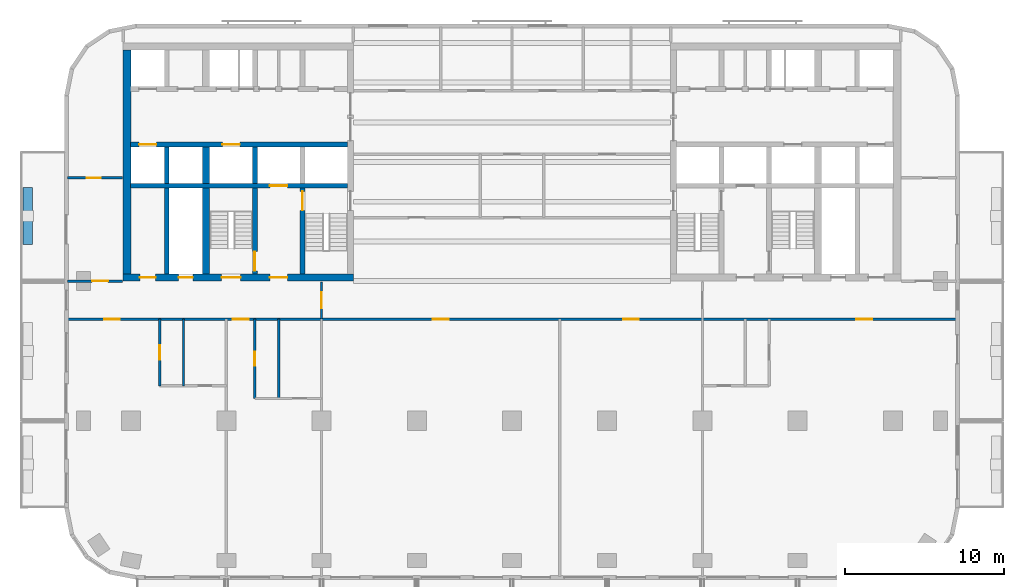
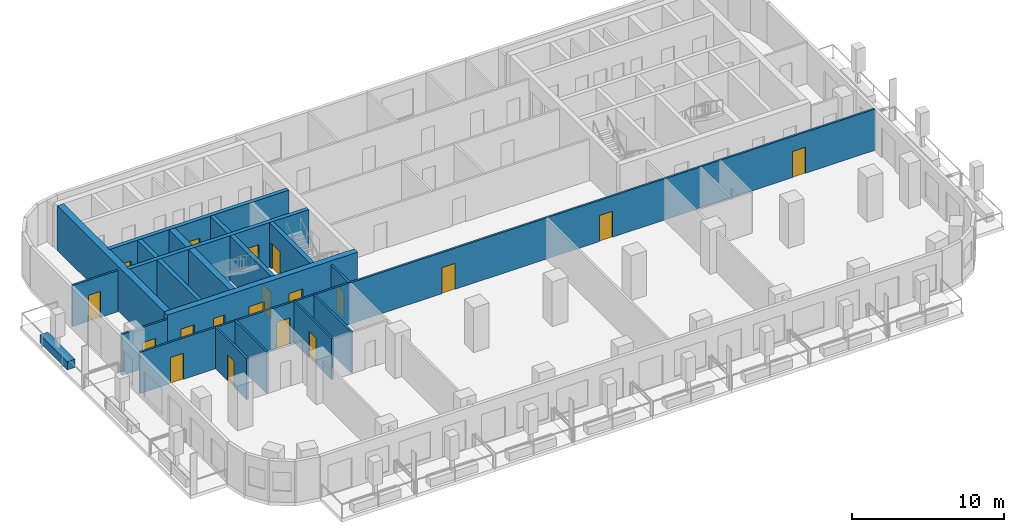
# One storey, part 3 of 11: 20 walls, 19 doors, 19 openings.
"""IFC4 building model written with IfcOpenShell, lengths in metres."""

import ifcopenshell
import ifcopenshell.guid

model = None  # the IFC model being written
_history = None  # IfcOwnerHistory: only IFC2X3 demands one
_inside = {}  # id of a spatial element -> (the spatial element, [elements in it])
_under = {}  # id of a project, library or spatial element -> (it, [spatial elements below it])
_declared = {}  # id of a project -> (the project, [libraries it declares])
_typed = {}  # id of a type object -> (the type object, [elements of that type])
_made_of = {}  # id of a material, layer set ... -> (it, [elements and type objects made of it])


def new_model(schema):
    """Start an empty IFC model of exactly this schema.

    Asked for "IFC4X3", IfcOpenShell would pick the latest addendum, in which some entities
    have other attributes; the version numbers below select the first issue.
    IFC2X3 requires an IfcOwnerHistory on every rooted entity: one is made here for all.
    """
    global model, _history
    if schema == "IFC4X3":
        model = ifcopenshell.file(schema_version=(4, 3, 0, 0))
    else:
        model = ifcopenshell.file(schema=schema)
    _inside.clear()
    _under.clear()
    _declared.clear()
    _typed.clear()
    _made_of.clear()
    _history = None
    if model.schema == "IFC2X3":
        org = make("IfcOrganization", Name="unknown")
        user = make(
            "IfcPersonAndOrganization",
            ThePerson=make("IfcPerson", FamilyName="unknown"),
            TheOrganization=org,
        )
        app = make(
            "IfcApplication",
            ApplicationDeveloper=org,
            Version="unknown",
            ApplicationFullName="unknown",
            ApplicationIdentifier="unknown",
        )
        _history = make(
            "IfcOwnerHistory",
            OwningUser=user,
            OwningApplication=app,
            ChangeAction="ADDED",
            CreationDate=0,
        )
    return model


def make(cls, **values):
    """One entity of the class cls with the attributes given. An attribute that is None is left unset."""
    return model.create_entity(
        cls, **{name: value for name, value in values.items() if value is not None}
    )


def rooted(cls, **values):
    """An entity with a GlobalId (a new one), such as an element, a storey or a relation."""
    return make(cls, GlobalId=ifcopenshell.guid.new(), OwnerHistory=_history, **values)


def si_unit(unit_type, name, prefix=None):
    """IfcSIUnit, for example si_unit("LENGTHUNIT", "METRE", prefix="MILLI")."""
    return make("IfcSIUnit", UnitType=unit_type, Prefix=prefix, Name=name)


def assignment(units):
    """IfcUnitAssignment: the units of a project."""
    return None if units is None else make("IfcUnitAssignment", Units=units)


def point(xyz):
    """IfcCartesianPoint."""
    return None if xyz is None else make("IfcCartesianPoint", Coordinates=xyz)


def direction(xyz):
    """IfcDirection."""
    return None if xyz is None else make("IfcDirection", DirectionRatios=xyz)


def frame(location, z_axis=None, x_axis=None):
    """IfcAxis2Placement3D, a coordinate frame: its origin and axes. An axis left out is left unset."""
    return make(
        "IfcAxis2Placement3D",
        Location=point(location),
        Axis=direction(z_axis),
        RefDirection=direction(x_axis),
    )


def frame_2d(location, x_axis=None):
    """IfcAxis2Placement2D, a coordinate frame in the plane: its origin and x axis."""
    return make(
        "IfcAxis2Placement2D", Location=point(location), RefDirection=direction(x_axis)
    )


def origin():
    """The frame at (0, 0, 0) with its axes left unset."""
    return frame((0.0, 0.0, 0.0))


def place(relative_to, where):
    """IfcLocalPlacement: puts the frame where relative to a parent placement (None: the world)."""
    return make(
        "IfcLocalPlacement", PlacementRelTo=relative_to, RelativePlacement=where
    )


def context(
    kind, dimensions, precision=None, world=None, true_north=None, identifier=None
):
    """IfcGeometricRepresentationContext, for example the 3D "Model" context."""
    return make(
        "IfcGeometricRepresentationContext",
        ContextIdentifier=identifier,
        ContextType=kind,
        CoordinateSpaceDimension=dimensions,
        Precision=precision,
        WorldCoordinateSystem=world,
        TrueNorth=true_north,
    )


def subcontext(parent, identifier, kind, view, scale=None):
    """IfcGeometricRepresentationSubContext, for example "Body" below "Model"."""
    return make(
        "IfcGeometricRepresentationSubContext",
        ContextIdentifier=identifier,
        ContextType=kind,
        ParentContext=parent,
        TargetScale=scale,
        TargetView=view,
    )


def project(units=None, contexts=None):
    """IfcProject with its units and contexts."""
    return rooted(
        "IfcProject",
        Name="project",
        RepresentationContexts=contexts,
        UnitsInContext=assignment(units),
    )


def spatial(cls, under=None, at=None, **own):
    """A site, building, storey or space (cls), placed at a placement, below another one or the project."""
    s = rooted(cls, ObjectPlacement=at, **own)
    if under is not None:
        _under.setdefault(under.id(), (under, []))[1].append(s)
    return s


def profile(cls, at=None, kind="AREA", **sizes):
    """A parametric profile (cls). Its sizes go by their IFC names, for example OverallWidth=200.0."""
    return make(cls, ProfileType=kind, Position=at, **sizes)


def rectangle(**sizes):
    """IfcRectangleProfileDef."""
    return profile("IfcRectangleProfileDef", **sizes)


def extrude(swept, where, along, depth):
    """IfcExtrudedAreaSolid: the profile swept, set in the frame where, extruded along a direction by depth."""
    return make(
        "IfcExtrudedAreaSolid",
        SweptArea=swept,
        Position=where,
        ExtrudedDirection=direction(along),
        Depth=depth,
    )


def shape(context_of_items, identifier, shape_type, items):
    """IfcShapeRepresentation: the items that make up one representation, for example the "Body"."""
    return make(
        "IfcShapeRepresentation",
        ContextOfItems=context_of_items,
        RepresentationIdentifier=identifier,
        RepresentationType=shape_type,
        Items=items,
    )


def material(Name=None, Category=None):
    """IfcMaterial."""
    return make("IfcMaterial", Name=Name, Category=Category)


def layer(
    of_material, thickness, ventilated=None, Name=None, Category=None, Priority=None
):
    """IfcMaterialLayer: one layer of a wall or slab, of a material (None: an air gap)."""
    return make(
        "IfcMaterialLayer",
        Material=of_material,
        LayerThickness=thickness,
        IsVentilated=ventilated,
        Name=Name,
        Category=Category,
        Priority=Priority,
    )


def layer_set(layers, Name=None):
    """IfcMaterialLayerSet."""
    return make("IfcMaterialLayerSet", MaterialLayers=layers, LayerSetName=Name)


def made_of(thing, what):
    """Note that an element or type object is made of a material, layer set ...; save() writes the relation."""
    if what is not None:
        _made_of.setdefault(what.id(), (what, []))[1].append(thing)
    return thing


def type_object(cls, material=None, **own):
    """A type object (cls), such as IfcWallType, which elements share."""
    return made_of(rooted(cls, **own), material)


def element(
    cls,
    number,
    at=None,
    inside=None,
    cuts=None,
    type_object=None,
    material=None,
    context=None,
    identifier="Body",
    shape_type=None,
    held_by="IfcProductDefinitionShape",
    body=None,
    shapes=None,
    **own,
):
    """One element of the class cls, such as IfcWall. Its Tag is "e" and its number.

    at: its placement. inside: the storey or other place that contains it. cuts: it is an
    opening in that element (IfcRelVoidsElement). A single representation is given by context,
    identifier, shape_type and body (its items); several are given by shapes. held_by: the class
    of the entity that holds the representations. save() writes the other relations.
    """
    e = rooted(cls, Tag="e%d" % number, ObjectPlacement=at, **own)
    if body is not None:
        shapes = [shape(context, identifier, shape_type, body)]
    if shapes is not None:
        e.Representation = make(held_by, Representations=shapes)
    if inside is not None:
        _inside.setdefault(inside.id(), (inside, []))[1].append(e)
    if cuts is not None:
        rooted(
            "IfcRelVoidsElement", RelatingBuildingElement=cuts, RelatedOpeningElement=e
        )
    if type_object is not None:
        _typed.setdefault(type_object.id(), (type_object, []))[1].append(e)
    return made_of(e, material)


def fill(opening, filler):
    """IfcRelFillsElement: the door or window that sits in an opening."""
    return rooted(
        "IfcRelFillsElement",
        RelatingOpeningElement=opening,
        RelatedBuildingElement=filler,
    )


def aggregate(whole, parts):
    """IfcRelAggregates: a whole, such as a stair, and the parts it consists of."""
    return rooted("IfcRelAggregates", RelatingObject=whole, RelatedObjects=parts)


def save(model, path):
    """Write the relations noted so far, then the file.

    IfcRelAggregates (storeys below a building ...), IfcRelContainedInSpatialStructure (elements
    in a storey), IfcRelDefinesByType, IfcRelAssociatesMaterial and IfcRelDeclares: one each for
    every whole, place, type object, material and project.
    """
    for whole, parts in _under.values():
        aggregate(whole, parts)
    for where, things in _inside.values():
        rooted(
            "IfcRelContainedInSpatialStructure",
            RelatedElements=things,
            RelatingStructure=where,
        )
    for kind, things in _typed.values():
        rooted("IfcRelDefinesByType", RelatedObjects=things, RelatingType=kind)
    for what, things in _made_of.values():
        rooted("IfcRelAssociatesMaterial", RelatedObjects=things, RelatingMaterial=what)
    for by, libraries in _declared.values():
        rooted("IfcRelDeclares", RelatingContext=by, RelatedDefinitions=libraries)
    model.write(path)


model = new_model("IFC4")

# Units and contexts
model_context = context("Model", 3, precision=1e-05, world=origin(), true_north=direction((0.0, 1.0)))
body_context = subcontext(model_context, "Body", "Model", "MODEL_VIEW")
ifc_project = project(units=[si_unit("LENGTHUNIT", "METRE"), si_unit("AREAUNIT", "SQUARE_METRE"), si_unit("VOLUMEUNIT", "CUBIC_METRE"), si_unit("PLANEANGLEUNIT", "RADIAN"), si_unit("MASSUNIT", "GRAM", prefix="KILO")], contexts=[model_context])

# Site, building, storey
site_placement = place(None, origin())
site = spatial("IfcSite", under=ifc_project, at=site_placement, CompositionType="ELEMENT")
building_placement = place(site_placement, origin())
building = spatial("IfcBuilding", under=site, at=building_placement, Name="Torana Hotel and Residences", CompositionType="ELEMENT")
storey_placement = place(building_placement, frame((0.0, 0.0, 166.800048828125)))
storey = spatial("IfcBuildingStorey", under=building, at=storey_placement, Name="L43", CompositionType="ELEMENT", Elevation=166.800048828125)

# Wall, openings, doors
ifc_material_1 = material(Name="Concrete C70/85", Category="concrete")
ifc_layer_1 = layer(ifc_material_1, 0.300048828125)
ifc_layer_set_1 = layer_set([ifc_layer_1], Name="CORE WALL 300 C70/85")
wall_type_1 = type_object("IfcWallType", Name="CORE WALL 300 C70/85", PredefinedType="SHEAR", material=ifc_layer_set_1)
wall_1_placement = place(storey_placement, frame((-24.050048828125, -6.39990234375, 0.0), z_axis=(0.0, 0.0, 1.0), x_axis=(1.0, 0.0, 0.0)))
wall_1 = element("IfcWall", 1, at=wall_1_placement, inside=storey, type_object=wall_type_1, Name="Core wall W row-S", PredefinedType="SHEAR", context=body_context, shape_type="SweptSolid", body=[
    extrude(rectangle(XDim=13.699951171875, YDim=0.300048828125, at=frame_2d((6.85009765625, 0.0))), origin(), (0.0, 0.0, 1.0), 3.599853515625),
])
opening_1_placement = place(wall_1_placement, frame((0.550048828125, 0.0, 0.0)))
opening_1 = element("IfcOpeningElement", 2, at=opening_1_placement, cuts=wall_1, Name="Opening LD", PredefinedType="OPENING", context=body_context, shape_type="SweptSolid", body=[
    extrude(rectangle(XDim=1.10009765625, YDim=2.10009765625, at=frame_2d((0.550048828125, 1.050048828125))), frame((0.0, 0.159912109375, 0.0), z_axis=(0.0, -1.0, 0.0), x_axis=(1.0, 0.0, 0.0)), (0.0, 0.0, 1.0), 0.320068359375),
])
opening_2_placement = place(wall_1_placement, frame((5.800048828125, 0.0, 0.0)))
opening_2 = element("IfcOpeningElement", 3, at=opening_2_placement, cuts=wall_1, Name="Opening LD", PredefinedType="OPENING", context=body_context, shape_type="SweptSolid", body=[
    extrude(rectangle(XDim=1.10009765625, YDim=2.10009765625, at=frame_2d((0.550048828125, 1.050048828125))), frame((0.0, 0.159912109375, 0.0), z_axis=(0.0, -1.0, 0.0), x_axis=(1.0, 0.0, 0.0)), (0.0, 0.0, 1.0), 0.320068359375),
])
ifc_material_2 = material(Name="Stainless steel 316", Category="steel")
door_type_1 = type_object("IfcDoorType", Name="LIFT LANDING DOOR LD 1100x2100", OperationType="DOUBLE_DOOR_SLIDING", PredefinedType="USERDEFINED", material=ifc_material_2)
door_1_placement = place(opening_1_placement, origin())
door_1 = element("IfcDoor", 4, at=door_1_placement, inside=storey, type_object=door_type_1, Name="Lift landing door M2 L43", ObjectType="LIFT LANDING DOOR", OperationType="DOUBLE_DOOR_SLIDING", OverallHeight=2.10009765625, OverallWidth=1.10009765625, PredefinedType="USERDEFINED", context=body_context, shape_type="SweptSolid", body=[
    extrude(rectangle(XDim=1.10009765625, YDim=2.10009765625, at=frame_2d((0.550048828125, 1.050048828125))), frame((0.0, 0.02490234375, 0.0), z_axis=(0.0, -1.0, 0.0), x_axis=(1.0, 0.0, 0.0)), (0.0, 0.0, 1.0), 0.050048828125),
])
fill(opening_1, door_1)
door_2_placement = place(opening_2_placement, origin())
door_2 = element("IfcDoor", 5, at=door_2_placement, inside=storey, type_object=door_type_1, Name="Lift landing door SV1 L43", ObjectType="LIFT LANDING DOOR", OperationType="DOUBLE_DOOR_SLIDING", OverallHeight=2.10009765625, OverallWidth=1.10009765625, PredefinedType="USERDEFINED", context=body_context, shape_type="SweptSolid", body=[
    extrude(rectangle(XDim=1.10009765625, YDim=2.10009765625, at=frame_2d((0.550048828125, 1.050048828125))), frame((0.0, 0.02490234375, 0.0), z_axis=(0.0, -1.0, 0.0), x_axis=(1.0, 0.0, 0.0)), (0.0, 0.0, 1.0), 0.050048828125),
])
fill(opening_2, door_2)

# Wall, opening, door
wall_2_placement = place(storey_placement, frame((-24.050048828125, -9.0, 0.0), z_axis=(0.0, 0.0, 1.0), x_axis=(1.0, 0.0, 0.0)))
wall_2 = element("IfcWall", 6, at=wall_2_placement, inside=storey, type_object=wall_type_1, Name="Core wall W band", PredefinedType="SHEAR", context=body_context, shape_type="SweptSolid", body=[
    extrude(rectangle(XDim=13.699951171875, YDim=0.300048828125, at=frame_2d((6.85009765625, 0.0))), origin(), (0.0, 0.0, 1.0), 3.599853515625),
])
opening_3_placement = place(wall_2_placement, frame((8.800048828125, 0.0, 0.0)))
opening_3 = element("IfcOpeningElement", 7, at=opening_3_placement, cuts=wall_2, Name="Opening LD", PredefinedType="OPENING", context=body_context, shape_type="SweptSolid", body=[
    extrude(rectangle(XDim=1.10009765625, YDim=2.10009765625, at=frame_2d((0.550048828125, 1.050048828125))), frame((0.0, 0.159912109375, 0.0), z_axis=(0.0, -1.0, 0.0), x_axis=(1.0, 0.0, 0.0)), (0.0, 0.0, 1.0), 0.320068359375),
])
door_3_placement = place(opening_3_placement, origin())
door_3 = element("IfcDoor", 8, at=door_3_placement, inside=storey, type_object=door_type_1, Name="Lift landing door FF1 L43", ObjectType="LIFT LANDING DOOR", OperationType="DOUBLE_DOOR_SLIDING", OverallHeight=2.10009765625, OverallWidth=1.10009765625, PredefinedType="USERDEFINED", context=body_context, shape_type="SweptSolid", body=[
    extrude(rectangle(XDim=1.10009765625, YDim=2.10009765625, at=frame_2d((0.550048828125, 1.050048828125))), frame((0.0, 0.02490234375, 0.0), z_axis=(0.0, -1.0, 0.0), x_axis=(1.0, 0.0, 0.0)), (0.0, 0.0, 1.0), 0.050048828125),
])
fill(opening_3, door_3)

wall_3_placement = place(storey_placement, frame((-13.199951171875, -14.550048828125, 0.0), z_axis=(0.0, 0.0, 1.0), x_axis=(0.0, 1.0, 0.0)))
wall_3 = element("IfcWall", 9, at=wall_3_placement, inside=storey, type_object=wall_type_1, Name="Core wall W x3.05-band", PredefinedType="SHEAR", context=body_context, shape_type="SweptSolid", body=[
    extrude(rectangle(XDim=5.400146484375, YDim=0.300048828125, at=frame_2d((2.7001953125, 0.0))), origin(), (0.0, 0.0, 1.0), 3.599853515625),
])
opening_4_placement = place(wall_3_placement, frame((4.0, 0.0, 0.0)))
opening_4 = element("IfcOpeningElement", 10, at=opening_4_placement, cuts=wall_3, Name="Opening L43-14", PredefinedType="OPENING", context=body_context, shape_type="SweptSolid", body=[
    extrude(rectangle(XDim=1.199951171875, YDim=2.10009765625, at=frame_2d((0.60009765625, 1.050048828125))), frame((0.0, 0.159912109375, 0.0), z_axis=(0.0, -1.0, 0.0), x_axis=(1.0, 0.0, 0.0)), (0.0, 0.0, 1.0), 0.320068359375),
])
ifc_material_3 = material(Name="Steel S235", Category="steel")
door_type_2 = type_object("IfcDoorType", Name="STAIR FIRE DOOR D3 1200x2100", OperationType="SINGLE_SWING_LEFT", PredefinedType="DOOR", material=ifc_material_3)
door_4_placement = place(opening_4_placement, frame((0.60009765625, 0.0, 0.0), z_axis=(0.0, 0.0, 1.0), x_axis=(-1.0, 0.0, 0.0)))
door_4 = element("IfcDoor", 11, at=door_4_placement, inside=storey, type_object=door_type_2, Name="Stair-A-lobby door L43", OperationType="SINGLE_SWING_RIGHT", OverallHeight=2.10009765625, OverallWidth=1.199951171875, PredefinedType="DOOR", context=body_context, shape_type="SweptSolid", body=[
    extrude(rectangle(XDim=1.199951171875, YDim=2.10009765625, at=frame_2d((0.0, 1.050048828125))), frame((0.0, -0.02490234375, 0.0), z_axis=(0.0, 1.0, 0.0), x_axis=(-1.0, 0.0, 0.0)), (0.0, 0.0, 1.0), 0.050048828125),
])
fill(opening_4, door_4)

# Wall
wall_4_placement = place(storey_placement, frame((-16.199951171875, -8.85009765625, 0.0), z_axis=(0.0, 0.0, 1.0), x_axis=(0.0, 1.0, 0.0)))
element("IfcWall", 12, at=wall_4_placement, inside=storey, type_object=wall_type_1, Name="Core wall W x6.05-S", PredefinedType="SHEAR", context=body_context, shape_type="SweptSolid", body=[
    extrude(rectangle(XDim=2.300048828125, YDim=0.300048828125, at=frame_2d((1.14990234375, 0.0))), origin(), (0.0, 0.0, 1.0), 3.599853515625),
])

# Wall, opening, door
wall_5_placement = place(storey_placement, frame((-16.199951171875, -14.550048828125, 0.0), z_axis=(0.0, 0.0, 1.0), x_axis=(0.0, 1.0, 0.0)))
wall_5 = element("IfcWall", 13, at=wall_5_placement, inside=storey, type_object=wall_type_1, Name="Core wall W x6.05-band", PredefinedType="SHEAR", context=body_context, shape_type="SweptSolid", body=[
    extrude(rectangle(XDim=5.400146484375, YDim=0.300048828125, at=frame_2d((2.7001953125, 0.0))), origin(), (0.0, 0.0, 1.0), 3.599853515625),
])
opening_5_placement = place(wall_5_placement, frame((0.199951171875, 0.0, 0.0)))
opening_5 = element("IfcOpeningElement", 14, at=opening_5_placement, cuts=wall_5, Name="Opening L43-15", PredefinedType="OPENING", context=body_context, shape_type="SweptSolid", body=[
    extrude(rectangle(XDim=1.199951171875, YDim=2.10009765625, at=frame_2d((0.60009765625, 1.050048828125))), frame((0.0, 0.159912109375, 0.0), z_axis=(0.0, -1.0, 0.0), x_axis=(1.0, 0.0, 0.0)), (0.0, 0.0, 1.0), 0.320068359375),
])
door_5_placement = place(opening_5_placement, origin())
door_5 = element("IfcDoor", 15, at=door_5_placement, inside=storey, type_object=door_type_2, Name="Stair-B-lobby door L43", OperationType="SINGLE_SWING_RIGHT", OverallHeight=2.10009765625, OverallWidth=1.199951171875, PredefinedType="DOOR", context=body_context, shape_type="SweptSolid", body=[
    extrude(rectangle(XDim=1.199951171875, YDim=2.10009765625, at=frame_2d((0.60009765625, 1.050048828125))), frame((0.0, 0.02490234375, 0.0), z_axis=(0.0, -1.0, 0.0), x_axis=(1.0, 0.0, 0.0)), (0.0, 0.0, 1.0), 0.050048828125),
])
fill(opening_5, door_5)

# Walls
wall_6_placement = place(storey_placement, frame((-21.75, -8.85009765625, 0.0), z_axis=(0.0, 0.0, 1.0), x_axis=(0.0, 1.0, 0.0)))
element("IfcWall", 16, at=wall_6_placement, inside=storey, type_object=wall_type_1, Name="Core wall W mm-S", PredefinedType="SHEAR", context=body_context, shape_type="SweptSolid", body=[
    extrude(rectangle(XDim=2.300048828125, YDim=0.300048828125, at=frame_2d((1.14990234375, 0.0))), origin(), (0.0, 0.0, 1.0), 3.599853515625),
])
wall_7_placement = place(storey_placement, frame((-21.75, -14.550048828125, 0.0), z_axis=(0.0, 0.0, 1.0), x_axis=(0.0, 1.0, 0.0)))
element("IfcWall", 17, at=wall_7_placement, inside=storey, type_object=wall_type_1, Name="Core wall W mm-band", PredefinedType="SHEAR", context=body_context, shape_type="SweptSolid", body=[
    extrude(rectangle(XDim=5.400146484375, YDim=0.300048828125, at=frame_2d((2.7001953125, 0.0))), origin(), (0.0, 0.0, 1.0), 3.599853515625),
])

# Wall, openings, doors
ifc_material_4 = material(Name="Concrete C70/85", Category="concrete")
ifc_layer_2 = layer(ifc_material_4, 0.449951171875)
ifc_layer_set_2 = layer_set([ifc_layer_2], Name="CORE WALL 450 C70/85")
wall_type_2 = type_object("IfcWallType", Name="CORE WALL 450 C70/85", PredefinedType="SHEAR", material=ifc_layer_set_2)
wall_8_placement = place(storey_placement, frame((-24.5, -14.77490234375, 0.0), z_axis=(0.0, 0.0, 1.0), x_axis=(1.0, 0.0, 0.0)))
wall_8 = element("IfcWall", 18, at=wall_8_placement, inside=storey, type_object=wall_type_2, Name="Core wall W front", PredefinedType="SHEAR", context=body_context, shape_type="SweptSolid", body=[
    extrude(rectangle(XDim=14.5, YDim=0.449951171875, at=frame_2d((7.25, 0.0))), origin(), (0.0, 0.0, 1.0), 3.599853515625),
])
opening_6_placement = place(wall_8_placement, frame((6.199951171875, 0.0, 0.0)))
opening_6 = element("IfcOpeningElement", 19, at=opening_6_placement, cuts=wall_8, Name="Opening L43-04", PredefinedType="OPENING", context=body_context, shape_type="SweptSolid", body=[
    extrude(rectangle(XDim=1.199951171875, YDim=2.10009765625, at=frame_2d((0.60009765625, 1.050048828125))), frame((0.0, 0.23486328125, 0.0), z_axis=(0.0, -1.0, 0.0), x_axis=(1.0, 0.0, 0.0)), (0.0, 0.0, 1.0), 0.469970703125),
])
opening_7_placement = place(wall_8_placement, frame((9.25, 0.0, 0.0)))
opening_7 = element("IfcOpeningElement", 20, at=opening_7_placement, cuts=wall_8, Name="Opening L43-05", PredefinedType="OPENING", context=body_context, shape_type="SweptSolid", body=[
    extrude(rectangle(XDim=1.10009765625, YDim=2.10009765625, at=frame_2d((0.550048828125, 1.050048828125))), frame((0.0, 0.23486328125, 0.0), z_axis=(0.0, -1.0, 0.0), x_axis=(1.0, 0.0, 0.0)), (0.0, 0.0, 1.0), 0.469970703125),
])
opening_8_placement = place(wall_8_placement, frame((3.5, 0.0, 0.0)))
opening_8 = element("IfcOpeningElement", 21, at=opening_8_placement, cuts=wall_8, Name="Opening L43-06", PredefinedType="OPENING", context=body_context, shape_type="SweptSolid", body=[
    extrude(rectangle(XDim=0.89990234375, YDim=2.10009765625, at=frame_2d((0.449951171875, 1.050048828125))), frame((0.0, 0.23486328125, 0.0), z_axis=(0.0, -1.0, 0.0), x_axis=(1.0, 0.0, 0.0)), (0.0, 0.0, 1.0), 0.469970703125),
])
opening_9_placement = place(wall_8_placement, frame((1.050048828125, 0.0, 0.0)))
opening_9 = element("IfcOpeningElement", 22, at=opening_9_placement, cuts=wall_8, Name="Opening L43-07", PredefinedType="OPENING", context=body_context, shape_type="SweptSolid", body=[
    extrude(rectangle(XDim=1.0, YDim=2.10009765625, at=frame_2d((0.5, 1.050048828125))), frame((0.0, 0.23486328125, 0.0), z_axis=(0.0, -1.0, 0.0), x_axis=(1.0, 0.0, 0.0)), (0.0, 0.0, 1.0), 0.469970703125),
])
ifc_material_5 = material(Name="Steel S235", Category="steel")
door_type_3 = type_object("IfcDoorType", Name="CORE ROOM FIRE DOOR D14 1000x2100", OperationType="SINGLE_SWING_LEFT", PredefinedType="DOOR", material=ifc_material_5)
door_6_placement = place(opening_9_placement, origin())
door_6 = element("IfcDoor", 23, at=door_6_placement, inside=storey, type_object=door_type_3, Name="M-Room door L43", OperationType="SINGLE_SWING_RIGHT", OverallHeight=2.10009765625, OverallWidth=1.0, PredefinedType="DOOR", context=body_context, shape_type="SweptSolid", body=[
    extrude(rectangle(XDim=1.0, YDim=2.10009765625, at=frame_2d((0.5, 1.050048828125))), frame((0.0, 0.02490234375, 0.0), z_axis=(0.0, -1.0, 0.0), x_axis=(1.0, 0.0, 0.0)), (0.0, 0.0, 1.0), 0.050048828125),
])
fill(opening_9, door_6)
ifc_material_6 = material(Name="Steel S235", Category="steel")
door_type_4 = type_object("IfcDoorType", Name="FIRE-FIGHTING LOBBY DOOR D8 1100x2100", OperationType="SINGLE_SWING_LEFT", PredefinedType="DOOR", material=ifc_material_6)
door_7_placement = place(opening_7_placement, origin())
door_7 = element("IfcDoor", 24, at=door_7_placement, inside=storey, type_object=door_type_4, Name="FF-lobby door L43", OperationType="SINGLE_SWING_RIGHT", OverallHeight=2.10009765625, OverallWidth=1.10009765625, PredefinedType="DOOR", context=body_context, shape_type="SweptSolid", body=[
    extrude(rectangle(XDim=1.10009765625, YDim=2.10009765625, at=frame_2d((0.550048828125, 1.050048828125))), frame((0.0, 0.02490234375, 0.0), z_axis=(0.0, -1.0, 0.0), x_axis=(1.0, 0.0, 0.0)), (0.0, 0.0, 1.0), 0.050048828125),
])
fill(opening_7, door_7)
ifc_material_7 = material(Name="Steel S235", Category="steel")
door_type_5 = type_object("IfcDoorType", Name="RISER ACCESS DOOR D5 900x2100", OperationType="SINGLE_SWING_LEFT", PredefinedType="DOOR", material=ifc_material_7)
door_8_placement = place(opening_8_placement, origin())
door_8 = element("IfcDoor", 25, at=door_8_placement, inside=storey, type_object=door_type_5, Name="M-Riser door L43", OperationType="SINGLE_SWING_RIGHT", OverallHeight=2.10009765625, OverallWidth=0.89990234375, PredefinedType="DOOR", context=body_context, shape_type="SweptSolid", body=[
    extrude(rectangle(XDim=0.89990234375, YDim=2.10009765625, at=frame_2d((0.449951171875, 1.050048828125))), frame((0.0, 0.02490234375, 0.0), z_axis=(0.0, -1.0, 0.0), x_axis=(1.0, 0.0, 0.0)), (0.0, 0.0, 1.0), 0.050048828125),
])
fill(opening_8, door_8)
door_9_placement = place(opening_6_placement, origin())
door_9 = element("IfcDoor", 26, at=door_9_placement, inside=storey, type_object=door_type_2, Name="Stair-B door L43", OperationType="SINGLE_SWING_RIGHT", OverallHeight=2.10009765625, OverallWidth=1.199951171875, PredefinedType="DOOR", context=body_context, shape_type="SweptSolid", body=[
    extrude(rectangle(XDim=1.199951171875, YDim=2.10009765625, at=frame_2d((0.60009765625, 1.050048828125))), frame((0.0, 0.02490234375, 0.0), z_axis=(0.0, -1.0, 0.0), x_axis=(1.0, 0.0, 0.0)), (0.0, 0.0, 1.0), 0.050048828125),
])
fill(opening_6, door_9)

# Walls
wall_9_placement = place(storey_placement, frame((-19.27490234375, -8.85009765625, 0.0), z_axis=(0.0, 0.0, 1.0), x_axis=(0.0, 1.0, 0.0)))
element("IfcWall", 27, at=wall_9_placement, inside=storey, type_object=wall_type_2, Name="Core wall W hm-S", PredefinedType="SHEAR", context=body_context, shape_type="SweptSolid", body=[
    extrude(rectangle(XDim=2.300048828125, YDim=0.449951171875, at=frame_2d((1.14990234375, 0.0))), origin(), (0.0, 0.0, 1.0), 3.599853515625),
])
wall_10_placement = place(storey_placement, frame((-19.27490234375, -14.550048828125, 0.0), z_axis=(0.0, 0.0, 1.0), x_axis=(0.0, 1.0, 0.0)))
element("IfcWall", 28, at=wall_10_placement, inside=storey, type_object=wall_type_2, Name="Core wall W hm-band", PredefinedType="SHEAR", context=body_context, shape_type="SweptSolid", body=[
    extrude(rectangle(XDim=5.400146484375, YDim=0.449951171875, at=frame_2d((2.7001953125, 0.0))), origin(), (0.0, 0.0, 1.0), 3.599853515625),
])
ifc_material_8 = material(Name="Concrete C70/85", Category="concrete")
ifc_layer_3 = layer(ifc_material_8, 0.5)
ifc_layer_set_3 = layer_set([ifc_layer_3], Name="CORE WALL 500 C70/85")
wall_type_3 = type_object("IfcWallType", Name="CORE WALL 500 C70/85", PredefinedType="SHEAR", material=ifc_layer_set_3)
wall_11_placement = place(storey_placement, frame((-24.25, -14.550048828125, 0.0), z_axis=(0.0, 0.0, 1.0), x_axis=(0.0, 1.0, 0.0)))
element("IfcWall", 29, at=wall_11_placement, inside=storey, type_object=wall_type_3, Name="Core wall W outer", PredefinedType="SHEAR", context=body_context, shape_type="SweptSolid", body=[
    extrude(rectangle(XDim=14.10009765625, YDim=0.5, at=frame_2d((7.050048828125, 0.0))), origin(), (0.0, 0.0, 1.0), 3.599853515625),
])

# Wall, opening, door
ifc_material_9 = material(Name="Gypsum plaster")
ifc_layer_4 = layer(ifc_material_9, 0.014892578125, Name="Plaster", Category="finish")
ifc_material_10 = material(Name="Concrete blockwork", Category="masonry")
ifc_layer_5 = layer(ifc_material_10, 0.1201171875, Name="Blockwork", Category="structure")
ifc_layer_6 = layer(ifc_material_9, 0.014892578125, Name="Plaster", Category="finish")
ifc_layer_set_4 = layer_set([ifc_layer_4, ifc_layer_5, ifc_layer_6], Name="FIRE PARTITION 150 BLOCKWORK")
wall_type_4 = type_object("IfcWallType", Name="FIRE PARTITION 150 BLOCKWORK", PredefinedType="PARTITIONING", material=ifc_layer_set_4)
wall_12_placement = place(storey_placement, frame((-12.0, -17.39990234375, 0.0), z_axis=(0.0, 0.0, 1.0), x_axis=(0.0, 1.0, 0.0)))
wall_12 = element("IfcWall", 30, at=wall_12_placement, inside=storey, type_object=wall_type_4, Name="Partition L43", PredefinedType="PARTITIONING", context=body_context, shape_type="SweptSolid", body=[
    extrude(rectangle(XDim=2.349853515625, YDim=0.14990234375, at=frame_2d((1.1748046875, 0.0))), origin(), (0.0, 0.0, 1.0), 3.320068359375),
])
opening_10_placement = place(wall_12_placement, frame((0.699951171875, 0.0, 0.0)))
opening_10 = element("IfcOpeningElement", 31, at=opening_10_placement, cuts=wall_12, Name="Opening L43-31", PredefinedType="OPENING", context=body_context, shape_type="SweptSolid", body=[
    extrude(rectangle(XDim=1.0, YDim=2.10009765625, at=frame_2d((0.5, 1.050048828125))), frame((0.0, 0.0849609375, 0.0), z_axis=(0.0, -1.0, 0.0), x_axis=(1.0, 0.0, 0.0)), (0.0, 0.0, 1.0), 0.169921875),
])
ifc_material_11 = material(Name="Steel S235", Category="steel")
door_type_6 = type_object("IfcDoorType", Name="ENTRY FIRE DOOR D6 1000x2100", OperationType="SINGLE_SWING_LEFT", PredefinedType="DOOR", material=ifc_material_11)
door_10_placement = place(opening_10_placement, origin())
door_10 = element("IfcDoor", 32, at=door_10_placement, inside=storey, type_object=door_type_6, Name="Door L43", OperationType="SINGLE_SWING_RIGHT", OverallHeight=2.10009765625, OverallWidth=1.0, PredefinedType="DOOR", context=body_context, shape_type="SweptSolid", body=[
    extrude(rectangle(XDim=1.0, YDim=2.10009765625, at=frame_2d((0.5, 1.050048828125))), frame((0.0, 0.02490234375, 0.0), z_axis=(0.0, -1.0, 0.0), x_axis=(1.0, 0.0, 0.0)), (0.0, 0.0, 1.0), 0.050048828125),
])
fill(opening_10, door_10)

# Wall, openings, doors
wall_13_placement = place(storey_placement, frame((-28.02001953125, -17.39990234375, 0.0), z_axis=(0.0, 0.0, 1.0), x_axis=(1.0, 0.0, 0.0)))
wall_13 = element("IfcWall", 33, at=wall_13_placement, inside=storey, type_object=wall_type_4, Name="Partition L43", PredefinedType="PARTITIONING", context=body_context, shape_type="SweptSolid", body=[
    extrude(rectangle(XDim=56.0400390625, YDim=0.14990234375, at=frame_2d((28.02001953125, 0.0))), origin(), (0.0, 0.0, 1.0), 3.320068359375),
])
opening_11_placement = place(wall_13_placement, frame((10.419921875, 0.0, 0.0)))
opening_11 = element("IfcOpeningElement", 34, at=opening_11_placement, cuts=wall_13, Name="Opening L43-32", PredefinedType="OPENING", context=body_context, shape_type="SweptSolid", body=[
    extrude(rectangle(XDim=1.0, YDim=2.10009765625, at=frame_2d((0.5, 1.050048828125))), frame((0.0, 0.0849609375, 0.0), z_axis=(0.0, -1.0, 0.0), x_axis=(1.0, 0.0, 0.0)), (0.0, 0.0, 1.0), 0.169921875),
])
opening_12_placement = place(wall_13_placement, frame((2.320068359375, 0.0, 0.0)))
opening_12 = element("IfcOpeningElement", 35, at=opening_12_placement, cuts=wall_13, Name="Opening L43-33", PredefinedType="OPENING", context=body_context, shape_type="SweptSolid", body=[
    extrude(rectangle(XDim=1.0, YDim=2.10009765625, at=frame_2d((0.5, 1.050048828125))), frame((0.0, 0.0849609375, 0.0), z_axis=(0.0, -1.0, 0.0), x_axis=(1.0, 0.0, 0.0)), (0.0, 0.0, 1.0), 0.169921875),
])
opening_13_placement = place(wall_13_placement, frame((49.719970703125, 0.0, 0.0)))
opening_13 = element("IfcOpeningElement", 36, at=opening_13_placement, cuts=wall_13, Name="Opening L43-36", PredefinedType="OPENING", context=body_context, shape_type="SweptSolid", body=[
    extrude(rectangle(XDim=1.0, YDim=2.10009765625, at=frame_2d((0.5, 1.050048828125))), frame((0.0, 0.0849609375, 0.0), z_axis=(0.0, -1.0, 0.0), x_axis=(1.0, 0.0, 0.0)), (0.0, 0.0, 1.0), 0.169921875),
])
opening_14_placement = place(wall_13_placement, frame((23.02001953125, 0.0, 0.0)))
opening_14 = element("IfcOpeningElement", 37, at=opening_14_placement, cuts=wall_13, Name="Opening L43-39", PredefinedType="OPENING", context=body_context, shape_type="SweptSolid", body=[
    extrude(rectangle(XDim=1.0, YDim=2.10009765625, at=frame_2d((0.5, 1.050048828125))), frame((0.0, 0.0849609375, 0.0), z_axis=(0.0, -1.0, 0.0), x_axis=(1.0, 0.0, 0.0)), (0.0, 0.0, 1.0), 0.169921875),
])
opening_15_placement = place(wall_13_placement, frame((35.02001953125, 0.0, 0.0)))
opening_15 = element("IfcOpeningElement", 38, at=opening_15_placement, cuts=wall_13, Name="Opening L43-40", PredefinedType="OPENING", context=body_context, shape_type="SweptSolid", body=[
    extrude(rectangle(XDim=1.0, YDim=2.10009765625, at=frame_2d((0.5, 1.050048828125))), frame((0.0, 0.0849609375, 0.0), z_axis=(0.0, -1.0, 0.0), x_axis=(1.0, 0.0, 0.0)), (0.0, 0.0, 1.0), 0.169921875),
])
door_11_placement = place(opening_11_placement, frame((0.5, 0.0, 0.0), z_axis=(0.0, 0.0, 1.0), x_axis=(-1.0, 0.0, 0.0)))
door_11 = element("IfcDoor", 39, at=door_11_placement, inside=storey, type_object=door_type_6, Name="Door L43", OperationType="SINGLE_SWING_LEFT", OverallHeight=2.10009765625, OverallWidth=1.0, PredefinedType="DOOR", context=body_context, shape_type="SweptSolid", body=[
    extrude(rectangle(XDim=1.0, YDim=2.10009765625, at=frame_2d((0.0, 1.050048828125))), frame((0.0, -0.02490234375, 0.0), z_axis=(0.0, 1.0, 0.0), x_axis=(-1.0, 0.0, 0.0)), (0.0, 0.0, 1.0), 0.050048828125),
])
fill(opening_11, door_11)
door_12_placement = place(opening_12_placement, frame((0.5, 0.0, 0.0), z_axis=(0.0, 0.0, 1.0), x_axis=(-1.0, 0.0, 0.0)))
door_12 = element("IfcDoor", 40, at=door_12_placement, inside=storey, type_object=door_type_6, Name="Door L43", OperationType="SINGLE_SWING_LEFT", OverallHeight=2.10009765625, OverallWidth=1.0, PredefinedType="DOOR", context=body_context, shape_type="SweptSolid", body=[
    extrude(rectangle(XDim=1.0, YDim=2.10009765625, at=frame_2d((0.0, 1.050048828125))), frame((0.0, -0.02490234375, 0.0), z_axis=(0.0, 1.0, 0.0), x_axis=(-1.0, 0.0, 0.0)), (0.0, 0.0, 1.0), 0.050048828125),
])
fill(opening_12, door_12)
door_13_placement = place(opening_13_placement, frame((0.5, 0.0, 0.0), z_axis=(0.0, 0.0, 1.0), x_axis=(-1.0, 0.0, 0.0)))
door_13 = element("IfcDoor", 41, at=door_13_placement, inside=storey, type_object=door_type_6, Name="Door L43", OperationType="SINGLE_SWING_LEFT", OverallHeight=2.10009765625, OverallWidth=1.0, PredefinedType="DOOR", context=body_context, shape_type="SweptSolid", body=[
    extrude(rectangle(XDim=1.0, YDim=2.10009765625, at=frame_2d((0.0, 1.050048828125))), frame((0.0, -0.02490234375, 0.0), z_axis=(0.0, 1.0, 0.0), x_axis=(-1.0, 0.0, 0.0)), (0.0, 0.0, 1.0), 0.050048828125),
])
fill(opening_13, door_13)
door_14_placement = place(opening_14_placement, frame((0.5, 0.0, 0.0), z_axis=(0.0, 0.0, 1.0), x_axis=(-1.0, 0.0, 0.0)))
door_14 = element("IfcDoor", 42, at=door_14_placement, inside=storey, type_object=door_type_6, Name="Door L43", OperationType="SINGLE_SWING_LEFT", OverallHeight=2.10009765625, OverallWidth=1.0, PredefinedType="DOOR", context=body_context, shape_type="SweptSolid", body=[
    extrude(rectangle(XDim=1.0, YDim=2.10009765625, at=frame_2d((0.0, 1.050048828125))), frame((0.0, -0.02490234375, 0.0), z_axis=(0.0, 1.0, 0.0), x_axis=(-1.0, 0.0, 0.0)), (0.0, 0.0, 1.0), 0.050048828125),
])
fill(opening_14, door_14)
door_15_placement = place(opening_15_placement, frame((0.5, 0.0, 0.0), z_axis=(0.0, 0.0, 1.0), x_axis=(-1.0, 0.0, 0.0)))
door_15 = element("IfcDoor", 43, at=door_15_placement, inside=storey, type_object=door_type_6, Name="Door L43", OperationType="SINGLE_SWING_LEFT", OverallHeight=2.10009765625, OverallWidth=1.0, PredefinedType="DOOR", context=body_context, shape_type="SweptSolid", body=[
    extrude(rectangle(XDim=1.0, YDim=2.10009765625, at=frame_2d((0.0, 1.050048828125))), frame((0.0, -0.02490234375, 0.0), z_axis=(0.0, 1.0, 0.0), x_axis=(-1.0, 0.0, 0.0)), (0.0, 0.0, 1.0), 0.050048828125),
])
fill(opening_15, door_15)

# Wall, opening, door
wall_14_placement = place(storey_placement, frame((-28.02001953125, -15.0, 0.0), z_axis=(0.0, 0.0, 1.0), x_axis=(1.0, 0.0, 0.0)))
wall_14 = element("IfcWall", 44, at=wall_14_placement, inside=storey, type_object=wall_type_4, Name="Partition L43", PredefinedType="PARTITIONING", context=body_context, shape_type="SweptSolid", body=[
    extrude(rectangle(XDim=3.469970703125, YDim=0.14990234375, at=frame_2d((1.73486328125, 0.0))), origin(), (0.0, 0.0, 1.0), 3.320068359375),
])
opening_16_placement = place(wall_14_placement, frame((1.570068359375, 0.0, 0.0)))
opening_16 = element("IfcOpeningElement", 45, at=opening_16_placement, cuts=wall_14, Name="Opening L43-34", PredefinedType="OPENING", context=body_context, shape_type="SweptSolid", body=[
    extrude(rectangle(XDim=1.0, YDim=2.10009765625, at=frame_2d((0.5, 1.050048828125))), frame((0.0, 0.0849609375, 0.0), z_axis=(0.0, -1.0, 0.0), x_axis=(1.0, 0.0, 0.0)), (0.0, 0.0, 1.0), 0.169921875),
])
door_16_placement = place(opening_16_placement, origin())
door_16 = element("IfcDoor", 46, at=door_16_placement, inside=storey, type_object=door_type_3, Name="Door L43", OperationType="SINGLE_SWING_RIGHT", OverallHeight=2.10009765625, OverallWidth=1.0, PredefinedType="DOOR", context=body_context, shape_type="SweptSolid", body=[
    extrude(rectangle(XDim=1.0, YDim=2.10009765625, at=frame_2d((0.5, 1.050048828125))), frame((0.0, 0.02490234375, 0.0), z_axis=(0.0, -1.0, 0.0), x_axis=(1.0, 0.0, 0.0)), (0.0, 0.0, 1.0), 0.050048828125),
])
fill(opening_16, door_16)

# Wall
ifc_material_12 = material(Name="Gypsum plasterboard")
ifc_layer_7 = layer(ifc_material_12, 0.012451171875, Name="Plasterboard", Category="finish")
ifc_layer_8 = layer(ifc_material_12, 0.012451171875, Name="Plasterboard", Category="finish")
ifc_material_13 = material(Name="Steel S280GD", Category="steel")
ifc_layer_9 = layer(ifc_material_13, 0.10009765625, Name="Steel studs with mineral wool", Category="insulation")
ifc_layer_10 = layer(ifc_material_12, 0.012451171875, Name="Plasterboard", Category="finish")
ifc_layer_11 = layer(ifc_material_12, 0.012451171875, Name="Plasterboard", Category="finish")
ifc_layer_set_5 = layer_set([ifc_layer_7, ifc_layer_8, ifc_layer_9, ifc_layer_10, ifc_layer_11], Name="PARTITION 150 PLASTERBOARD")
wall_type_5 = type_object("IfcWallType", Name="PARTITION 150 PLASTERBOARD", PredefinedType="PARTITIONING", material=ifc_layer_set_5)
wall_15_placement = place(storey_placement, frame((-14.699951171875, -22.39990234375, 0.0), z_axis=(0.0, 0.0, 1.0), x_axis=(0.0, 1.0, 0.0)))
element("IfcWall", 47, at=wall_15_placement, inside=storey, type_object=wall_type_5, Name="Partition L43", PredefinedType="PARTITIONING", context=body_context, shape_type="SweptSolid", body=[
    extrude(rectangle(XDim=5.0, YDim=0.14990234375, at=frame_2d((2.5, 0.0))), origin(), (0.0, 0.0, 1.0), 3.320068359375),
])

# Wall, opening, door
wall_16_placement = place(storey_placement, frame((-16.199951171875, -22.39990234375, 0.0), z_axis=(0.0, 0.0, 1.0), x_axis=(0.0, 1.0, 0.0)))
wall_16 = element("IfcWall", 48, at=wall_16_placement, inside=storey, type_object=wall_type_5, Name="Partition L43", PredefinedType="PARTITIONING", context=body_context, shape_type="SweptSolid", body=[
    extrude(rectangle(XDim=5.0, YDim=0.14990234375, at=frame_2d((2.5, 0.0))), origin(), (0.0, 0.0, 1.0), 3.320068359375),
])
opening_17_placement = place(wall_16_placement, frame((2.050048828125, 0.0, 0.0)))
opening_17 = element("IfcOpeningElement", 49, at=opening_17_placement, cuts=wall_16, Name="Opening L43-49", PredefinedType="OPENING", context=body_context, shape_type="SweptSolid", body=[
    extrude(rectangle(XDim=0.89990234375, YDim=2.10009765625, at=frame_2d((0.449951171875, 1.050048828125))), frame((0.0, 0.0849609375, 0.0), z_axis=(0.0, -1.0, 0.0), x_axis=(1.0, 0.0, 0.0)), (0.0, 0.0, 1.0), 0.169921875),
])
ifc_material_14 = material(Name="Timber door, oiled ash", Category="wood")
door_type_7 = type_object("IfcDoorType", Name="ROOM DOOR D7 900x2100", OperationType="SINGLE_SWING_LEFT", PredefinedType="DOOR", material=ifc_material_14)
door_17_placement = place(opening_17_placement, origin())
door_17 = element("IfcDoor", 50, at=door_17_placement, inside=storey, type_object=door_type_7, Name="Door L43", OperationType="SINGLE_SWING_RIGHT", OverallHeight=2.10009765625, OverallWidth=0.89990234375, PredefinedType="DOOR", context=body_context, shape_type="SweptSolid", body=[
    extrude(rectangle(XDim=0.89990234375, YDim=2.10009765625, at=frame_2d((0.449951171875, 1.050048828125))), frame((0.0, 0.02490234375, 0.0), z_axis=(0.0, -1.0, 0.0), x_axis=(1.0, 0.0, 0.0)), (0.0, 0.0, 1.0), 0.050048828125),
])
fill(opening_17, door_17)

# Wall
wall_17_placement = place(storey_placement, frame((-20.699951171875, -21.60009765625, 0.0), z_axis=(0.0, 0.0, 1.0), x_axis=(0.0, 1.0, 0.0)))
element("IfcWall", 51, at=wall_17_placement, inside=storey, type_object=wall_type_5, Name="Partition L43", PredefinedType="PARTITIONING", context=body_context, shape_type="SweptSolid", body=[
    extrude(rectangle(XDim=4.2001953125, YDim=0.14990234375, at=frame_2d((2.10009765625, 0.0))), origin(), (0.0, 0.0, 1.0), 3.320068359375),
])

# Wall, opening, door
wall_18_placement = place(storey_placement, frame((-22.199951171875, -21.60009765625, 0.0), z_axis=(0.0, 0.0, 1.0), x_axis=(0.0, 1.0, 0.0)))
wall_18 = element("IfcWall", 52, at=wall_18_placement, inside=storey, type_object=wall_type_5, Name="Partition L43", PredefinedType="PARTITIONING", context=body_context, shape_type="SweptSolid", body=[
    extrude(rectangle(XDim=4.2001953125, YDim=0.14990234375, at=frame_2d((2.10009765625, 0.0))), origin(), (0.0, 0.0, 1.0), 3.320068359375),
])
opening_18_placement = place(wall_18_placement, frame((1.64990234375, 0.0, 0.0)))
opening_18 = element("IfcOpeningElement", 53, at=opening_18_placement, cuts=wall_18, Name="Opening L43-52", PredefinedType="OPENING", context=body_context, shape_type="SweptSolid", body=[
    extrude(rectangle(XDim=0.89990234375, YDim=2.10009765625, at=frame_2d((0.449951171875, 1.050048828125))), frame((0.0, 0.0849609375, 0.0), z_axis=(0.0, -1.0, 0.0), x_axis=(1.0, 0.0, 0.0)), (0.0, 0.0, 1.0), 0.169921875),
])
door_18_placement = place(opening_18_placement, origin())
door_18 = element("IfcDoor", 54, at=door_18_placement, inside=storey, type_object=door_type_7, Name="Door L43", OperationType="SINGLE_SWING_RIGHT", OverallHeight=2.10009765625, OverallWidth=0.89990234375, PredefinedType="DOOR", context=body_context, shape_type="SweptSolid", body=[
    extrude(rectangle(XDim=0.89990234375, YDim=2.10009765625, at=frame_2d((0.449951171875, 1.050048828125))), frame((0.0, 0.02490234375, 0.0), z_axis=(0.0, -1.0, 0.0), x_axis=(1.0, 0.0, 0.0)), (0.0, 0.0, 1.0), 0.050048828125),
])
fill(opening_18, door_18)

wall_19_placement = place(storey_placement, frame((-28.02001953125, -8.5, 0.0), z_axis=(0.0, 0.0, 1.0), x_axis=(1.0, 0.0, 0.0)))
wall_19 = element("IfcWall", 55, at=wall_19_placement, inside=storey, type_object=wall_type_5, Name="Partition L43", PredefinedType="PARTITIONING", context=body_context, shape_type="SweptSolid", body=[
    extrude(rectangle(XDim=3.469970703125, YDim=0.14990234375, at=frame_2d((1.73486328125, 0.0))), origin(), (0.0, 0.0, 1.0), 3.320068359375),
])
opening_19_placement = place(wall_19_placement, frame((1.219970703125, 0.0, 0.0)))
opening_19 = element("IfcOpeningElement", 56, at=opening_19_placement, cuts=wall_19, Name="Opening L43-55", PredefinedType="OPENING", context=body_context, shape_type="SweptSolid", body=[
    extrude(rectangle(XDim=0.89990234375, YDim=2.10009765625, at=frame_2d((0.449951171875, 1.050048828125))), frame((0.0, 0.0849609375, 0.0), z_axis=(0.0, -1.0, 0.0), x_axis=(1.0, 0.0, 0.0)), (0.0, 0.0, 1.0), 0.169921875),
])
door_19_placement = place(opening_19_placement, origin())
door_19 = element("IfcDoor", 57, at=door_19_placement, inside=storey, type_object=door_type_7, Name="Door L43", OperationType="SINGLE_SWING_RIGHT", OverallHeight=2.10009765625, OverallWidth=0.89990234375, PredefinedType="DOOR", context=body_context, shape_type="SweptSolid", body=[
    extrude(rectangle(XDim=0.89990234375, YDim=2.10009765625, at=frame_2d((0.449951171875, 1.050048828125))), frame((0.0, 0.02490234375, 0.0), z_axis=(0.0, -1.0, 0.0), x_axis=(1.0, 0.0, 0.0)), (0.0, 0.0, 1.0), 0.050048828125),
])
fill(opening_19, door_19)

# Wall
ifc_material_15 = material(Name="Concrete C40/50 precast", Category="concrete")
ifc_layer_12 = layer(ifc_material_15, 0.10009765625, Name="Planter shell", Category="structure")
ifc_material_16 = material(Name="Root resistant membrane")
ifc_layer_13 = layer(ifc_material_16, 0.00390625, Name="Waterproofing membrane", Category="membrane")
ifc_material_17 = material(Name="Drainage board with filter fleece")
ifc_layer_14 = layer(ifc_material_17, 0.02001953125, Name="Drainage board", Category="drainage")
ifc_material_18 = material(Name="Growing medium")
ifc_layer_15 = layer(ifc_material_18, 0.47607421875, Name="Planting substrate", Category="soil")
ifc_layer_set_6 = layer_set([ifc_layer_12, ifc_layer_13, ifc_layer_14, ifc_layer_15], Name="PL1 BALCONY PLANTER 600")
wall_type_6 = type_object("IfcWallType", Name="PL1 BALCONY PLANTER 600", PredefinedType="USERDEFINED", material=ifc_layer_set_6)
wall_20_placement = place(storey_placement, frame((-30.5, -12.699951171875, 0.0), z_axis=(0.0, 0.0, 1.0), x_axis=(0.0, 1.0, 0.0)))
element("IfcWall", 58, at=wall_20_placement, inside=storey, type_object=wall_type_6, Name="Planter 11", ObjectType="PLANTER", PredefinedType="USERDEFINED", context=body_context, shape_type="SweptSolid", body=[
    extrude(rectangle(XDim=3.599853515625, YDim=0.60009765625, at=frame_2d((1.7998046875, 0.0))), origin(), (0.0, 0.0, 1.0), 0.64990234375),
])

save(model, "model.ifc")
